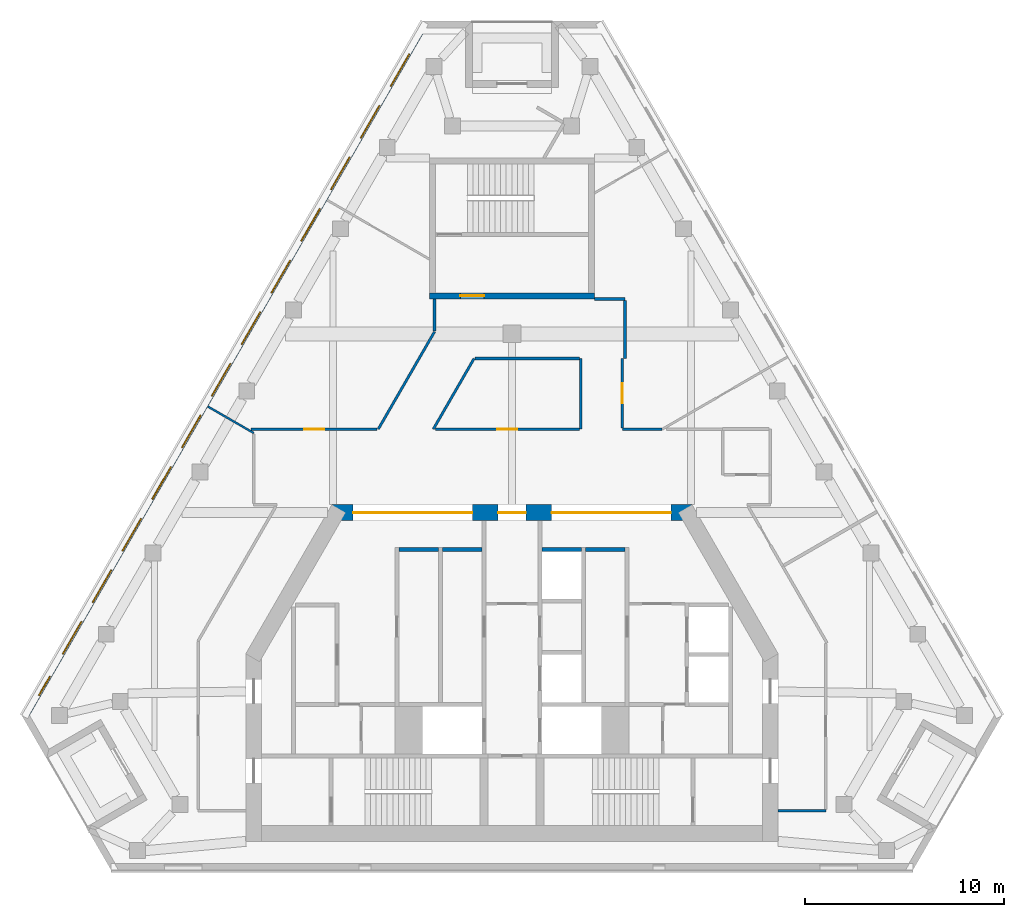
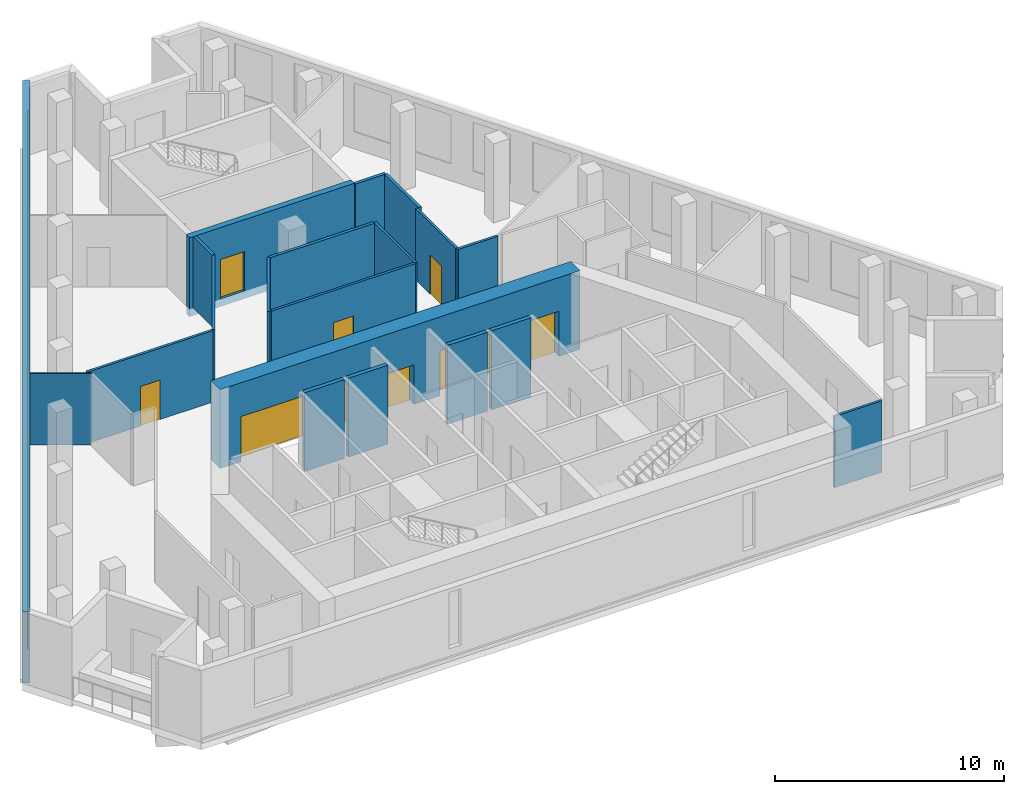
# One storey, part 4 of 8: 20 walls, 13 windows, 7 doors, 20 openings.
"""IFC4 building model written with IfcOpenShell, lengths in metres."""

from ifc_helpers import new_model, si_unit, direction, frame, frame_2d, origin, place, context, subcontext, project, spatial, rectangle, extrude, material, layer, layer_set, type_object, element, fill, save


model = new_model("IFC4")

# Units and contexts
model_context = context("Model", 3, precision=1e-05, world=origin(), true_north=direction((0.0, 1.0)))
body_context = subcontext(model_context, "Body", "Model", "MODEL_VIEW")
ifc_project = project(units=[si_unit("LENGTHUNIT", "METRE"), si_unit("AREAUNIT", "SQUARE_METRE"), si_unit("VOLUMEUNIT", "CUBIC_METRE"), si_unit("PLANEANGLEUNIT", "RADIAN"), si_unit("MASSUNIT", "GRAM", prefix="KILO")], contexts=[model_context])

# Site, building, storey
site_placement = place(None, origin())
site = spatial("IfcSite", under=ifc_project, at=site_placement, CompositionType="ELEMENT")
building_placement = place(site_placement, origin())
building = spatial("IfcBuilding", under=site, at=building_placement, Name="Fogline Exchange Tower", CompositionType="ELEMENT")
storey_placement = place(building_placement, frame((0.0, 0.0, 318.300048828125)))
storey = spatial("IfcBuildingStorey", under=building, at=storey_placement, Name="L72", CompositionType="ELEMENT", Elevation=318.300048828125)

# Walls
ifc_material_1 = material(Name="Concrete C40", Category="concrete")
ifc_layer_1 = layer(ifc_material_1, 0.199951171875)
ifc_layer_set_1 = layer_set([ifc_layer_1], Name="CW20S")
wall_type_1 = type_object("IfcWallType", Name="CW20S", PredefinedType="SOLIDWALL", material=ifc_layer_set_1)
for number, where, z_axis, x_axis, name in (
    (1, (-5.699951171875, 16.14990234375, -0.400146484375), (0.0, 0.0, 1.0), (1.0, 0.0, 0.0), "Lift shaft wall"),
    (2, (-3.5, 16.14990234375, -0.400146484375), (0.0, 0.0, 1.0), (1.0, 0.0, 0.0), "Lift shaft wall"),
    (3, (3.699951171875, 16.14990234375, -0.400146484375), (0.0, 0.0, 1.0), (1.0, 0.0, 0.0), "Lift shaft wall"),
    (4, (1.5, 16.14990234375, -0.400146484375), (0.0, 0.0, 1.0), (1.0, 0.0, 0.0), "Lift shaft wall"),
):
    element("IfcWall", number, at=place(storey_placement, frame(where, z_axis=z_axis, x_axis=x_axis)), inside=storey, type_object=wall_type_1, Name=name, PredefinedType="SOLIDWALL", context=body_context, shape_type="SweptSolid", body=[
        extrude(rectangle(XDim=2.0, YDim=0.199951171875, at=frame_2d((1.0, 0.0))), origin(), (0.0, 0.0, 1.0), 4.2001953125),
    ])

# Wall, opening, door
ifc_layer_2 = layer(ifc_material_1, 0.300048828125)
ifc_layer_set_2 = layer_set([ifc_layer_2], Name="CW30")
wall_type_2 = type_object("IfcWallType", Name="CW30", PredefinedType="SOLIDWALL", material=ifc_layer_set_2)
wall_1_placement = place(storey_placement, frame((-4.14990234375, 28.906982421875, -0.400146484375), z_axis=(0.0, 0.0, 1.0), x_axis=(1.0, 0.0, 0.0)))
wall_1 = element("IfcWall", 5, at=wall_1_placement, inside=storey, type_object=wall_type_2, Name="Stair enclosure wall ST3", PredefinedType="SOLIDWALL", context=body_context, shape_type="SweptSolid", body=[
    extrude(rectangle(XDim=8.2998046875, YDim=0.300048828125, at=frame_2d((4.14990234375, 0.0))), origin(), (0.0, 0.0, 1.0), 4.2001953125),
])
opening_1_placement = place(wall_1_placement, frame((1.550048828125, 0.0, 0.39990234375)))
opening_1 = element("IfcOpeningElement", 6, at=opening_1_placement, cuts=wall_1, Name="Opening T22-C022", PredefinedType="OPENING", context=body_context, shape_type="SweptSolid", body=[
    extrude(rectangle(XDim=1.199951171875, YDim=2.10009765625, at=frame_2d((0.60009765625, 1.050048828125))), frame((0.0, 0.16015625, 0.0), z_axis=(0.0, -1.0, 0.0), x_axis=(1.0, 0.0, 0.0)), (0.0, 0.0, 1.0), 0.320068359375),
])
ifc_material_2 = material(Name="Steel and timber fire door", Category="steel")
door_type_1 = type_object("IfcDoorType", Name="D-FR1", OperationType="SINGLE_SWING_RIGHT", PredefinedType="DOOR", material=ifc_material_2)
door_1_placement = place(opening_1_placement, origin())
door_1 = element("IfcDoor", 7, at=door_1_placement, inside=storey, type_object=door_type_1, Name="Front room door ST3", OperationType="SINGLE_SWING_LEFT", OverallHeight=2.10009765625, OverallWidth=1.199951171875, PredefinedType="DOOR", context=body_context, shape_type="SweptSolid", body=[
    extrude(rectangle(XDim=1.199951171875, YDim=2.10009765625, at=frame_2d((0.60009765625, 1.050048828125))), frame((0.0, 0.02490234375, 0.0), z_axis=(0.0, -1.0, 0.0), x_axis=(1.0, 0.0, 0.0)), (0.0, 0.0, 1.0), 0.050048828125),
])
fill(opening_1, door_1)

# Wall, openings, windows
ifc_material_3 = material(Name="Brick masonry", Category="masonry")
ifc_layer_3 = layer(ifc_material_3, 0.340087890625)
ifc_layer_set_3 = layer_set([ifc_layer_3], Name="FW1")
wall_type_3 = type_object("IfcWallType", Name="FW1", PredefinedType="SOLIDWALL", material=ifc_layer_set_3)
wall_2_placement = place(storey_placement, frame((-4.352783203125, 42.66162109375, 0.0), z_axis=(0.0, 0.0, 1.0), x_axis=(-0.499998406252, -0.866026323933, 0.0)))
wall_2 = element("IfcWall", 8, at=wall_2_placement, inside=storey, type_object=wall_type_3, Name="Brick wall L72 W", PredefinedType="SOLIDWALL", context=body_context, shape_type="SweptSolid", body=[
    extrude(rectangle(XDim=40.359619140625, YDim=0.340087890625, at=frame_2d((20.1796875, 0.0))), origin(), (0.0, 0.0, 1.0), 3.800048828125),
])
opening_2_placement = place(wall_2_placement, frame((1.769775390625, 0.0, 0.89990234375)))
opening_2 = element("IfcOpeningElement", 9, at=opening_2_placement, cuts=wall_2, Name="Opening W3", PredefinedType="OPENING", context=body_context, shape_type="SweptSolid", body=[
    extrude(rectangle(XDim=1.885009765625, YDim=2.60009765625, at=frame_2d((0.9423828125, 1.300048828125))), frame((0.0, 0.18017578125, 0.0), z_axis=(0.0, -1.0, 0.0), x_axis=(1.0, 0.0, 0.0)), (0.0, 0.0, 1.0), 0.360107421875),
])
opening_3_placement = place(wall_2_placement, frame((4.769775390625, 0.0, 0.89990234375)))
opening_3 = element("IfcOpeningElement", 10, at=opening_3_placement, cuts=wall_2, Name="Opening W3", PredefinedType="OPENING", context=body_context, shape_type="SweptSolid", body=[
    extrude(rectangle(XDim=1.885009765625, YDim=2.60009765625, at=frame_2d((0.9423828125, 1.300048828125))), frame((0.0, 0.18017578125, 0.0), z_axis=(0.0, -1.0, 0.0), x_axis=(1.0, 0.0, 0.0)), (0.0, 0.0, 1.0), 0.360107421875),
])
opening_4_placement = place(wall_2_placement, frame((7.769775390625, 0.0, 0.89990234375)))
opening_4 = element("IfcOpeningElement", 11, at=opening_4_placement, cuts=wall_2, Name="Opening W3", PredefinedType="OPENING", context=body_context, shape_type="SweptSolid", body=[
    extrude(rectangle(XDim=1.885009765625, YDim=2.60009765625, at=frame_2d((0.9423828125, 1.300048828125))), frame((0.0, 0.18017578125, 0.0), z_axis=(0.0, -1.0, 0.0), x_axis=(1.0, 0.0, 0.0)), (0.0, 0.0, 1.0), 0.360107421875),
])
opening_5_placement = place(wall_2_placement, frame((10.769775390625, 0.0, 0.89990234375)))
opening_5 = element("IfcOpeningElement", 12, at=opening_5_placement, cuts=wall_2, Name="Opening W3", PredefinedType="OPENING", context=body_context, shape_type="SweptSolid", body=[
    extrude(rectangle(XDim=1.885009765625, YDim=2.60009765625, at=frame_2d((0.9423828125, 1.300048828125))), frame((0.0, 0.18017578125, 0.0), z_axis=(0.0, -1.0, 0.0), x_axis=(1.0, 0.0, 0.0)), (0.0, 0.0, 1.0), 0.360107421875),
])
opening_6_placement = place(wall_2_placement, frame((13.769775390625, 0.0, 0.89990234375)))
opening_6 = element("IfcOpeningElement", 13, at=opening_6_placement, cuts=wall_2, Name="Opening W3", PredefinedType="OPENING", context=body_context, shape_type="SweptSolid", body=[
    extrude(rectangle(XDim=1.885009765625, YDim=2.60009765625, at=frame_2d((0.9423828125, 1.300048828125))), frame((0.0, 0.18017578125, 0.0), z_axis=(0.0, -1.0, 0.0), x_axis=(1.0, 0.0, 0.0)), (0.0, 0.0, 1.0), 0.360107421875),
])
opening_7_placement = place(wall_2_placement, frame((16.769775390625, 0.0, 0.89990234375)))
opening_7 = element("IfcOpeningElement", 14, at=opening_7_placement, cuts=wall_2, Name="Opening W3", PredefinedType="OPENING", context=body_context, shape_type="SweptSolid", body=[
    extrude(rectangle(XDim=1.885009765625, YDim=2.60009765625, at=frame_2d((0.9423828125, 1.300048828125))), frame((0.0, 0.18017578125, 0.0), z_axis=(0.0, -1.0, 0.0), x_axis=(1.0, 0.0, 0.0)), (0.0, 0.0, 1.0), 0.360107421875),
])
opening_8_placement = place(wall_2_placement, frame((19.769775390625, 0.0, 0.89990234375)))
opening_8 = element("IfcOpeningElement", 15, at=opening_8_placement, cuts=wall_2, Name="Opening W3", PredefinedType="OPENING", context=body_context, shape_type="SweptSolid", body=[
    extrude(rectangle(XDim=1.885009765625, YDim=2.60009765625, at=frame_2d((0.9423828125, 1.300048828125))), frame((0.0, 0.18017578125, 0.0), z_axis=(0.0, -1.0, 0.0), x_axis=(1.0, 0.0, 0.0)), (0.0, 0.0, 1.0), 0.360107421875),
])
opening_9_placement = place(wall_2_placement, frame((22.769775390625, 0.0, 0.89990234375)))
opening_9 = element("IfcOpeningElement", 16, at=opening_9_placement, cuts=wall_2, Name="Opening W3", PredefinedType="OPENING", context=body_context, shape_type="SweptSolid", body=[
    extrude(rectangle(XDim=1.885009765625, YDim=2.60009765625, at=frame_2d((0.9423828125, 1.300048828125))), frame((0.0, 0.18017578125, 0.0), z_axis=(0.0, -1.0, 0.0), x_axis=(1.0, 0.0, 0.0)), (0.0, 0.0, 1.0), 0.360107421875),
])
opening_10_placement = place(wall_2_placement, frame((25.769775390625, 0.0, 0.89990234375)))
opening_10 = element("IfcOpeningElement", 17, at=opening_10_placement, cuts=wall_2, Name="Opening W3", PredefinedType="OPENING", context=body_context, shape_type="SweptSolid", body=[
    extrude(rectangle(XDim=1.885009765625, YDim=2.60009765625, at=frame_2d((0.9423828125, 1.300048828125))), frame((0.0, 0.18017578125, 0.0), z_axis=(0.0, -1.0, 0.0), x_axis=(1.0, 0.0, 0.0)), (0.0, 0.0, 1.0), 0.360107421875),
])
opening_11_placement = place(wall_2_placement, frame((28.769775390625, 0.0, 0.89990234375)))
opening_11 = element("IfcOpeningElement", 18, at=opening_11_placement, cuts=wall_2, Name="Opening W3", PredefinedType="OPENING", context=body_context, shape_type="SweptSolid", body=[
    extrude(rectangle(XDim=1.885009765625, YDim=2.60009765625, at=frame_2d((0.9423828125, 1.300048828125))), frame((0.0, 0.18017578125, 0.0), z_axis=(0.0, -1.0, 0.0), x_axis=(1.0, 0.0, 0.0)), (0.0, 0.0, 1.0), 0.360107421875),
])
opening_12_placement = place(wall_2_placement, frame((31.769775390625, 0.0, 0.89990234375)))
opening_12 = element("IfcOpeningElement", 19, at=opening_12_placement, cuts=wall_2, Name="Opening W3", PredefinedType="OPENING", context=body_context, shape_type="SweptSolid", body=[
    extrude(rectangle(XDim=1.885009765625, YDim=2.60009765625, at=frame_2d((0.9423828125, 1.300048828125))), frame((0.0, 0.18017578125, 0.0), z_axis=(0.0, -1.0, 0.0), x_axis=(1.0, 0.0, 0.0)), (0.0, 0.0, 1.0), 0.360107421875),
])
opening_13_placement = place(wall_2_placement, frame((34.769775390625, 0.0, 0.89990234375)))
opening_13 = element("IfcOpeningElement", 20, at=opening_13_placement, cuts=wall_2, Name="Opening W3", PredefinedType="OPENING", context=body_context, shape_type="SweptSolid", body=[
    extrude(rectangle(XDim=1.885009765625, YDim=2.60009765625, at=frame_2d((0.9423828125, 1.300048828125))), frame((0.0, 0.18017578125, 0.0), z_axis=(0.0, -1.0, 0.0), x_axis=(1.0, 0.0, 0.0)), (0.0, 0.0, 1.0), 0.360107421875),
])
opening_14_placement = place(wall_2_placement, frame((37.94970703125, 0.0, 0.89990234375)))
opening_14 = element("IfcOpeningElement", 21, at=opening_14_placement, cuts=wall_2, Name="Opening W4", PredefinedType="OPENING", context=body_context, shape_type="SweptSolid", body=[
    extrude(rectangle(XDim=1.114990234375, YDim=2.39990234375, at=frame_2d((0.5576171875, 1.199951171875))), frame((0.0, 0.18017578125, 0.0), z_axis=(0.0, -1.0, 0.0), x_axis=(1.0, 0.0, 0.0)), (0.0, 0.0, 1.0), 0.360107421875),
])
ifc_material_4 = material(Name="Aluminium and glass", Category="aluminium")
window_type_1 = type_object("IfcWindowType", Name="W3", PartitioningType="SINGLE_PANEL", PredefinedType="WINDOW", material=ifc_material_4)
window_1_placement = place(opening_2_placement, origin())
window_1 = element("IfcWindow", 22, at=window_1_placement, inside=storey, type_object=window_type_1, Name="W3 W3", OverallHeight=2.60009765625, OverallWidth=1.885009765625, PartitioningType="SINGLE_PANEL", PredefinedType="WINDOW", context=body_context, shape_type="SweptSolid", body=[
    extrude(rectangle(XDim=1.885009765625, YDim=2.60009765625, at=frame_2d((0.9423828125, 1.300048828125))), frame((0.0, 0.110107421875, 0.0), z_axis=(0.0, -1.0, 0.0), x_axis=(1.0, 0.0, 0.0)), (0.0, 0.0, 1.0), 0.06005859375),
])
fill(opening_2, window_1)
window_2_placement = place(opening_3_placement, origin())
window_2 = element("IfcWindow", 23, at=window_2_placement, inside=storey, type_object=window_type_1, Name="W3 W3", OverallHeight=2.60009765625, OverallWidth=1.885009765625, PartitioningType="SINGLE_PANEL", PredefinedType="WINDOW", context=body_context, shape_type="SweptSolid", body=[
    extrude(rectangle(XDim=1.885009765625, YDim=2.60009765625, at=frame_2d((0.9423828125, 1.300048828125))), frame((0.0, 0.110107421875, 0.0), z_axis=(0.0, -1.0, 0.0), x_axis=(1.0, 0.0, 0.0)), (0.0, 0.0, 1.0), 0.06005859375),
])
fill(opening_3, window_2)
window_3_placement = place(opening_4_placement, origin())
window_3 = element("IfcWindow", 24, at=window_3_placement, inside=storey, type_object=window_type_1, Name="W3 W3", OverallHeight=2.60009765625, OverallWidth=1.885009765625, PartitioningType="SINGLE_PANEL", PredefinedType="WINDOW", context=body_context, shape_type="SweptSolid", body=[
    extrude(rectangle(XDim=1.885009765625, YDim=2.60009765625, at=frame_2d((0.9423828125, 1.300048828125))), frame((0.0, 0.110107421875, 0.0), z_axis=(0.0, -1.0, 0.0), x_axis=(1.0, 0.0, 0.0)), (0.0, 0.0, 1.0), 0.06005859375),
])
fill(opening_4, window_3)
window_4_placement = place(opening_5_placement, origin())
window_4 = element("IfcWindow", 25, at=window_4_placement, inside=storey, type_object=window_type_1, Name="W3 W3", OverallHeight=2.60009765625, OverallWidth=1.885009765625, PartitioningType="SINGLE_PANEL", PredefinedType="WINDOW", context=body_context, shape_type="SweptSolid", body=[
    extrude(rectangle(XDim=1.885009765625, YDim=2.60009765625, at=frame_2d((0.9423828125, 1.300048828125))), frame((0.0, 0.110107421875, 0.0), z_axis=(0.0, -1.0, 0.0), x_axis=(1.0, 0.0, 0.0)), (0.0, 0.0, 1.0), 0.06005859375),
])
fill(opening_5, window_4)
window_5_placement = place(opening_6_placement, origin())
window_5 = element("IfcWindow", 26, at=window_5_placement, inside=storey, type_object=window_type_1, Name="W3 W3", OverallHeight=2.60009765625, OverallWidth=1.885009765625, PartitioningType="SINGLE_PANEL", PredefinedType="WINDOW", context=body_context, shape_type="SweptSolid", body=[
    extrude(rectangle(XDim=1.885009765625, YDim=2.60009765625, at=frame_2d((0.9423828125, 1.300048828125))), frame((0.0, 0.110107421875, 0.0), z_axis=(0.0, -1.0, 0.0), x_axis=(1.0, 0.0, 0.0)), (0.0, 0.0, 1.0), 0.06005859375),
])
fill(opening_6, window_5)
window_6_placement = place(opening_7_placement, origin())
window_6 = element("IfcWindow", 27, at=window_6_placement, inside=storey, type_object=window_type_1, Name="W3 W3", OverallHeight=2.60009765625, OverallWidth=1.885009765625, PartitioningType="SINGLE_PANEL", PredefinedType="WINDOW", context=body_context, shape_type="SweptSolid", body=[
    extrude(rectangle(XDim=1.885009765625, YDim=2.60009765625, at=frame_2d((0.9423828125, 1.300048828125))), frame((0.0, 0.110107421875, 0.0), z_axis=(0.0, -1.0, 0.0), x_axis=(1.0, 0.0, 0.0)), (0.0, 0.0, 1.0), 0.06005859375),
])
fill(opening_7, window_6)
window_7_placement = place(opening_8_placement, origin())
window_7 = element("IfcWindow", 28, at=window_7_placement, inside=storey, type_object=window_type_1, Name="W3 W3", OverallHeight=2.60009765625, OverallWidth=1.885009765625, PartitioningType="SINGLE_PANEL", PredefinedType="WINDOW", context=body_context, shape_type="SweptSolid", body=[
    extrude(rectangle(XDim=1.885009765625, YDim=2.60009765625, at=frame_2d((0.9423828125, 1.300048828125))), frame((0.0, 0.110107421875, 0.0), z_axis=(0.0, -1.0, 0.0), x_axis=(1.0, 0.0, 0.0)), (0.0, 0.0, 1.0), 0.06005859375),
])
fill(opening_8, window_7)
window_8_placement = place(opening_9_placement, origin())
window_8 = element("IfcWindow", 29, at=window_8_placement, inside=storey, type_object=window_type_1, Name="W3 W3", OverallHeight=2.60009765625, OverallWidth=1.885009765625, PartitioningType="SINGLE_PANEL", PredefinedType="WINDOW", context=body_context, shape_type="SweptSolid", body=[
    extrude(rectangle(XDim=1.885009765625, YDim=2.60009765625, at=frame_2d((0.9423828125, 1.300048828125))), frame((0.0, 0.110107421875, 0.0), z_axis=(0.0, -1.0, 0.0), x_axis=(1.0, 0.0, 0.0)), (0.0, 0.0, 1.0), 0.06005859375),
])
fill(opening_9, window_8)
window_9_placement = place(opening_10_placement, origin())
window_9 = element("IfcWindow", 30, at=window_9_placement, inside=storey, type_object=window_type_1, Name="W3 W3", OverallHeight=2.60009765625, OverallWidth=1.885009765625, PartitioningType="SINGLE_PANEL", PredefinedType="WINDOW", context=body_context, shape_type="SweptSolid", body=[
    extrude(rectangle(XDim=1.885009765625, YDim=2.60009765625, at=frame_2d((0.9423828125, 1.300048828125))), frame((0.0, 0.110107421875, 0.0), z_axis=(0.0, -1.0, 0.0), x_axis=(1.0, 0.0, 0.0)), (0.0, 0.0, 1.0), 0.06005859375),
])
fill(opening_10, window_9)
window_10_placement = place(opening_11_placement, origin())
window_10 = element("IfcWindow", 31, at=window_10_placement, inside=storey, type_object=window_type_1, Name="W3 W3", OverallHeight=2.60009765625, OverallWidth=1.885009765625, PartitioningType="SINGLE_PANEL", PredefinedType="WINDOW", context=body_context, shape_type="SweptSolid", body=[
    extrude(rectangle(XDim=1.885009765625, YDim=2.60009765625, at=frame_2d((0.9423828125, 1.300048828125))), frame((0.0, 0.110107421875, 0.0), z_axis=(0.0, -1.0, 0.0), x_axis=(1.0, 0.0, 0.0)), (0.0, 0.0, 1.0), 0.06005859375),
])
fill(opening_11, window_10)
window_11_placement = place(opening_12_placement, origin())
window_11 = element("IfcWindow", 32, at=window_11_placement, inside=storey, type_object=window_type_1, Name="W3 W3", OverallHeight=2.60009765625, OverallWidth=1.885009765625, PartitioningType="SINGLE_PANEL", PredefinedType="WINDOW", context=body_context, shape_type="SweptSolid", body=[
    extrude(rectangle(XDim=1.885009765625, YDim=2.60009765625, at=frame_2d((0.9423828125, 1.300048828125))), frame((0.0, 0.110107421875, 0.0), z_axis=(0.0, -1.0, 0.0), x_axis=(1.0, 0.0, 0.0)), (0.0, 0.0, 1.0), 0.06005859375),
])
fill(opening_12, window_11)
window_12_placement = place(opening_13_placement, origin())
window_12 = element("IfcWindow", 33, at=window_12_placement, inside=storey, type_object=window_type_1, Name="W3 W3", OverallHeight=2.60009765625, OverallWidth=1.885009765625, PartitioningType="SINGLE_PANEL", PredefinedType="WINDOW", context=body_context, shape_type="SweptSolid", body=[
    extrude(rectangle(XDim=1.885009765625, YDim=2.60009765625, at=frame_2d((0.9423828125, 1.300048828125))), frame((0.0, 0.110107421875, 0.0), z_axis=(0.0, -1.0, 0.0), x_axis=(1.0, 0.0, 0.0)), (0.0, 0.0, 1.0), 0.06005859375),
])
fill(opening_13, window_12)
window_type_2 = type_object("IfcWindowType", Name="W4", PartitioningType="SINGLE_PANEL", PredefinedType="WINDOW", material=ifc_material_4)
window_13_placement = place(opening_14_placement, origin())
window_13 = element("IfcWindow", 34, at=window_13_placement, inside=storey, type_object=window_type_2, Name="W4 W4", OverallHeight=2.39990234375, OverallWidth=1.114990234375, PartitioningType="SINGLE_PANEL", PredefinedType="WINDOW", context=body_context, shape_type="SweptSolid", body=[
    extrude(rectangle(XDim=1.114990234375, YDim=2.39990234375, at=frame_2d((0.5576171875, 1.199951171875))), frame((0.0, 0.110107421875, 0.0), z_axis=(0.0, -1.0, 0.0), x_axis=(1.0, 0.0, 0.0)), (0.0, 0.0, 1.0), 0.06005859375),
])
fill(opening_14, window_13)

# Walls
ifc_material_5 = material(Name="Plasterboard partition, 2 layers each side on steel studs", Category="steel")
ifc_layer_4 = layer(ifc_material_5, 0.10009765625)
ifc_layer_set_4 = layer_set([ifc_layer_4], Name="PW1")
wall_type_4 = type_object("IfcWallType", Name="PW1", PredefinedType="PARTITIONING", material=ifc_layer_set_4)
wall_3_placement = place(storey_placement, frame((-13.0, 22.005615234375, 0.0), z_axis=(0.0, 0.0, 1.0), x_axis=(-0.865999751816, 0.500044427881, 0.0)))
element("IfcWall", 35, at=wall_3_placement, inside=storey, type_object=wall_type_4, Name="wall-L72-W034", PredefinedType="PARTITIONING", context=body_context, shape_type="SweptSolid", body=[
    extrude(rectangle(XDim=2.669189453125, YDim=0.10009765625, at=frame_2d((1.33447265625, 0.0))), origin(), (0.0, 0.0, 1.0), 3.800048828125),
])
ifc_material_6 = material(Name="Plasterboard corridor partition with mineral wool, 2 layers each side")
ifc_layer_5 = layer(ifc_material_6, 0.125)
ifc_layer_set_5 = layer_set([ifc_layer_5], Name="PW2")
wall_type_5 = type_object("IfcWallType", Name="PW2", PredefinedType="PARTITIONING", material=ifc_layer_set_5)
wall_4_placement = place(storey_placement, frame((15.800048828125, 3.0, 0.0), z_axis=(0.0, 0.0, 1.0), x_axis=(-1.0, 0.0, 0.0)))
element("IfcWall", 36, at=wall_4_placement, inside=storey, type_object=wall_type_5, Name="wall-L72-W004", PredefinedType="PARTITIONING", context=body_context, shape_type="SweptSolid", body=[
    extrude(rectangle(XDim=2.400146484375, YDim=0.125, at=frame_2d((1.2001953125, 0.0))), origin(), (0.0, 0.0, 1.0), 3.800048828125),
])
wall_5_placement = place(storey_placement, frame((5.550048828125, 22.199951171875, 0.0), z_axis=(0.0, 0.0, 1.0), x_axis=(1.0, 0.0, 0.0)))
element("IfcWall", 37, at=wall_5_placement, inside=storey, type_object=wall_type_5, Name="wall-L72-W010", PredefinedType="PARTITIONING", context=body_context, shape_type="SweptSolid", body=[
    extrude(rectangle(XDim=1.990966796875, YDim=0.125, at=frame_2d((0.99560546875, 0.0))), origin(), (0.0, 0.0, 1.0), 3.800048828125),
])

# Wall, opening, door
wall_6_placement = place(storey_placement, frame((-3.852294921875, 22.199951171875, 0.0), z_axis=(0.0, 0.0, 1.0), x_axis=(1.0, 0.0, 0.0)))
wall_6 = element("IfcWall", 38, at=wall_6_placement, inside=storey, type_object=wall_type_5, Name="wall-L72-W011", PredefinedType="PARTITIONING", context=body_context, shape_type="SweptSolid", body=[
    extrude(rectangle(XDim=7.23974609375, YDim=0.125, at=frame_2d((3.619873046875, 0.0))), origin(), (0.0, 0.0, 1.0), 3.800048828125),
])
opening_15_placement = place(wall_6_placement, frame((3.119873046875, 0.0, 0.0)))
opening_15 = element("IfcOpeningElement", 39, at=opening_15_placement, cuts=wall_6, Name="Opening T22-D004", PredefinedType="OPENING", context=body_context, shape_type="SweptSolid", body=[
    extrude(rectangle(XDim=1.0, YDim=2.10009765625, at=frame_2d((0.5, 1.050048828125))), frame((0.0, 0.072509765625, 0.0), z_axis=(0.0, -1.0, 0.0), x_axis=(1.0, 0.0, 0.0)), (0.0, 0.0, 1.0), 0.14501953125),
])
ifc_material_7 = material(Name="Fire-rated timber door leaf with steel frame", Category="steel")
door_type_2 = type_object("IfcDoorType", Name="D3", OperationType="SINGLE_SWING_LEFT", PredefinedType="DOOR", material=ifc_material_7)
door_2_placement = place(opening_15_placement, origin())
door_2 = element("IfcDoor", 40, at=door_2_placement, inside=storey, type_object=door_type_2, Name="door-L72-D004", OperationType="SINGLE_SWING_LEFT", OverallHeight=2.10009765625, OverallWidth=1.0, PredefinedType="DOOR", context=body_context, shape_type="SweptSolid", body=[
    extrude(rectangle(XDim=1.0, YDim=2.10009765625, at=frame_2d((0.5, 1.050048828125))), frame((0.0, 0.02490234375, 0.0), z_axis=(0.0, -1.0, 0.0), x_axis=(1.0, 0.0, 0.0)), (0.0, 0.0, 1.0), 0.050048828125),
])
fill(opening_15, door_2)

wall_7_placement = place(storey_placement, frame((-13.12890625, 22.199951171875, 0.0), z_axis=(0.0, 0.0, 1.0), x_axis=(1.0, 0.0, 0.0)))
wall_7 = element("IfcWall", 41, at=wall_7_placement, inside=storey, type_object=wall_type_5, Name="wall-L72-W012", PredefinedType="PARTITIONING", context=body_context, shape_type="SweptSolid", body=[
    extrude(rectangle(XDim=6.34228515625, YDim=0.125, at=frame_2d((3.171142578125, 0.0))), origin(), (0.0, 0.0, 1.0), 3.800048828125),
])
opening_16_placement = place(wall_7_placement, frame((2.671142578125, 0.0, 0.0)))
opening_16 = element("IfcOpeningElement", 42, at=opening_16_placement, cuts=wall_7, Name="Opening T22-D005", PredefinedType="OPENING", context=body_context, shape_type="SweptSolid", body=[
    extrude(rectangle(XDim=1.0, YDim=2.10009765625, at=frame_2d((0.5, 1.050048828125))), frame((0.0, 0.072509765625, 0.0), z_axis=(0.0, -1.0, 0.0), x_axis=(1.0, 0.0, 0.0)), (0.0, 0.0, 1.0), 0.14501953125),
])
door_3_placement = place(opening_16_placement, origin())
door_3 = element("IfcDoor", 43, at=door_3_placement, inside=storey, type_object=door_type_2, Name="door-L72-D005", OperationType="SINGLE_SWING_LEFT", OverallHeight=2.10009765625, OverallWidth=1.0, PredefinedType="DOOR", context=body_context, shape_type="SweptSolid", body=[
    extrude(rectangle(XDim=1.0, YDim=2.10009765625, at=frame_2d((0.5, 1.050048828125))), frame((0.0, 0.02490234375, 0.0), z_axis=(0.0, -1.0, 0.0), x_axis=(1.0, 0.0, 0.0)), (0.0, 0.0, 1.0), 0.050048828125),
])
fill(opening_16, door_3)

wall_8_placement = place(storey_placement, frame((5.550048828125, 25.757080078125, 0.0), z_axis=(0.0, 0.0, 1.0), x_axis=(0.0, -1.0, 0.0)))
wall_8 = element("IfcWall", 44, at=wall_8_placement, inside=storey, type_object=wall_type_5, Name="wall-L72-W022", PredefinedType="PARTITIONING", context=body_context, shape_type="SweptSolid", body=[
    extrude(rectangle(XDim=3.49462890625, YDim=0.125, at=frame_2d((1.747314453125, 0.0))), origin(), (0.0, 0.0, 1.0), 3.800048828125),
])
opening_17_placement = place(wall_8_placement, frame((1.247314453125, 0.0, 0.0)))
opening_17 = element("IfcOpeningElement", 45, at=opening_17_placement, cuts=wall_8, Name="Opening T22-D007", PredefinedType="OPENING", context=body_context, shape_type="SweptSolid", body=[
    extrude(rectangle(XDim=1.0, YDim=2.10009765625, at=frame_2d((0.5, 1.050048828125))), frame((0.0, 0.072509765625, 0.0), z_axis=(0.0, -1.0, 0.0), x_axis=(1.0, 0.0, 0.0)), (0.0, 0.0, 1.0), 0.14501953125),
])
door_4_placement = place(opening_17_placement, origin())
door_4 = element("IfcDoor", 46, at=door_4_placement, inside=storey, type_object=door_type_2, Name="door-L72-D007", OperationType="SINGLE_SWING_LEFT", OverallHeight=2.10009765625, OverallWidth=1.0, PredefinedType="DOOR", context=body_context, shape_type="SweptSolid", body=[
    extrude(rectangle(XDim=1.0, YDim=2.10009765625, at=frame_2d((0.5, 1.050048828125))), frame((0.0, 0.02490234375, 0.0), z_axis=(0.0, -1.0, 0.0), x_axis=(1.0, 0.0, 0.0)), (0.0, 0.0, 1.0), 0.050048828125),
])
fill(opening_17, door_4)

# Walls
wall_9_placement = place(storey_placement, frame((3.449951171875, 22.199951171875, 0.0), z_axis=(0.0, 0.0, 1.0), x_axis=(0.0, 1.0, 0.0)))
element("IfcWall", 47, at=wall_9_placement, inside=storey, type_object=wall_type_5, Name="wall-L72-W023", PredefinedType="PARTITIONING", context=body_context, shape_type="SweptSolid", body=[
    extrude(rectangle(XDim=3.55712890625, YDim=0.125, at=frame_2d((1.778564453125, 0.0))), origin(), (0.0, 0.0, 1.0), 3.800048828125),
])
wall_10_placement = place(storey_placement, frame((-1.907470703125, 25.757080078125, 0.0), z_axis=(0.0, 0.0, 1.0), x_axis=(-0.500000293238, -0.866025234483, 0.0)))
element("IfcWall", 48, at=wall_10_placement, inside=storey, type_object=wall_type_5, Name="wall-L72-W024", PredefinedType="PARTITIONING", context=body_context, shape_type="SweptSolid", body=[
    extrude(rectangle(XDim=4.107421875, YDim=0.125, at=frame_2d((2.0537109375, 0.0))), origin(), (0.0, 0.0, 1.0), 3.800048828125),
])
wall_11_placement = place(storey_placement, frame((-6.732421875, 22.199951171875, 0.0), z_axis=(0.0, 0.0, 1.0), x_axis=(0.500004730061, 0.866022672865, 0.0)))
element("IfcWall", 49, at=wall_11_placement, inside=storey, type_object=wall_type_5, Name="wall-L72-W025", PredefinedType="PARTITIONING", context=body_context, shape_type="SweptSolid", body=[
    extrude(rectangle(XDim=5.6650390625, YDim=0.125, at=frame_2d((2.83251953125, 0.0))), origin(), (0.0, 0.0, 1.0), 3.800048828125),
])
ifc_material_8 = material(Name="Plasterboard stair lobby partition, 3 layers each side on steel studs", Category="steel")
ifc_layer_6 = layer(ifc_material_8, 0.14990234375)
ifc_layer_set_6 = layer_set([ifc_layer_6], Name="PW4")
wall_type_6 = type_object("IfcWallType", Name="PW4", PredefinedType="PARTITIONING", material=ifc_layer_set_6)
wall_12_placement = place(storey_placement, frame((4.14990234375, 28.757080078125, 0.0), z_axis=(0.0, 0.0, 1.0), x_axis=(1.0, 0.0, 0.0)))
element("IfcWall", 50, at=wall_12_placement, inside=storey, type_object=wall_type_6, Name="wall-L72-W018", PredefinedType="PARTITIONING", context=body_context, shape_type="SweptSolid", body=[
    extrude(rectangle(XDim=1.550048828125, YDim=0.14990234375, at=frame_2d((0.77490234375, 0.0))), origin(), (0.0, 0.0, 1.0), 3.800048828125),
])
wall_13_placement = place(storey_placement, frame((5.699951171875, 28.681884765625, 0.0), z_axis=(0.0, 0.0, 1.0), x_axis=(0.0, -1.0, 0.0)))
element("IfcWall", 51, at=wall_13_placement, inside=storey, type_object=wall_type_6, Name="wall-L72-W019", PredefinedType="PARTITIONING", context=body_context, shape_type="SweptSolid", body=[
    extrude(rectangle(XDim=2.9248046875, YDim=0.14990234375, at=frame_2d((1.46240234375, 0.0))), origin(), (0.0, 0.0, 1.0), 3.800048828125),
])
wall_14_placement = place(storey_placement, frame((3.387451171875, 25.757080078125, 0.0), z_axis=(0.0, 0.0, 1.0), x_axis=(-1.0, 0.0, 0.0)))
element("IfcWall", 52, at=wall_14_placement, inside=storey, type_object=wall_type_6, Name="wall-L72-W020", PredefinedType="PARTITIONING", context=body_context, shape_type="SweptSolid", body=[
    extrude(rectangle(XDim=5.2412109375, YDim=0.14990234375, at=frame_2d((2.62060546875, 0.0))), origin(), (0.0, 0.0, 1.0), 3.800048828125),
])
wall_15_placement = place(storey_placement, frame((-3.89990234375, 27.136962890625, 0.0), z_axis=(0.0, 0.0, 1.0), x_axis=(0.0, 1.0, 0.0)))
element("IfcWall", 53, at=wall_15_placement, inside=storey, type_object=wall_type_6, Name="wall-L72-W021", PredefinedType="PARTITIONING", context=body_context, shape_type="SweptSolid", body=[
    extrude(rectangle(XDim=1.6201171875, YDim=0.14990234375, at=frame_2d((0.81005859375, 0.0))), origin(), (0.0, 0.0, 1.0), 3.800048828125),
])

# Wall, openings, doors
ifc_material_9 = material(Name="Concrete C50", Category="concrete")
ifc_layer_7 = layer(ifc_material_9, 0.800048828125)
ifc_layer_set_7 = layer_set([ifc_layer_7], Name="SW04")
wall_type_7 = type_object("IfcWallType", Name="SW04", PredefinedType="SHEAR", material=ifc_layer_set_7)
wall_16_placement = place(storey_placement, frame((9.065185546875, 18.0, 0.0), z_axis=(0.0, 0.0, 1.0), x_axis=(-1.0, 0.0, 0.0)))
wall_16 = element("IfcWall", 54, at=wall_16_placement, inside=storey, type_object=wall_type_7, Name="L72-W904", PredefinedType="SHEAR", context=body_context, shape_type="SweptSolid", body=[
    extrude(rectangle(XDim=18.13037109375, YDim=0.800048828125, at=frame_2d((9.065185546875, 0.0))), origin(), (0.0, 0.0, 1.0), 4.199951171875),
])
opening_18_placement = place(wall_16_placement, frame((8.364990234375, 0.0, 0.0)))
opening_18 = element("IfcOpeningElement", 55, at=opening_18_placement, cuts=wall_16, Name="Opening T22-C019", PredefinedType="OPENING", context=body_context, shape_type="SweptSolid", body=[
    extrude(rectangle(XDim=1.39990234375, YDim=2.10009765625, at=frame_2d((0.699951171875, 1.050048828125))), frame((0.0, 0.41015625, 0.0), z_axis=(0.0, -1.0, 0.0), x_axis=(1.0, 0.0, 0.0)), (0.0, 0.0, 1.0), 0.820068359375),
])
opening_19_placement = place(wall_16_placement, frame((11.065185546875, 0.0, 0.0)))
opening_19 = element("IfcOpeningElement", 56, at=opening_19_placement, cuts=wall_16, Name="Opening T22-C020", PredefinedType="OPENING", context=body_context, shape_type="SweptSolid", body=[
    extrude(rectangle(XDim=6.0, YDim=2.39990234375, at=frame_2d((3.0, 1.199951171875))), frame((0.0, 0.41015625, 0.0), z_axis=(0.0, -1.0, 0.0), x_axis=(1.0, 0.0, 0.0)), (0.0, 0.0, 1.0), 0.820068359375),
])
opening_20_placement = place(wall_16_placement, frame((1.065185546875, 0.0, 0.0)))
opening_20 = element("IfcOpeningElement", 57, at=opening_20_placement, cuts=wall_16, Name="Opening T22-C021", PredefinedType="OPENING", context=body_context, shape_type="SweptSolid", body=[
    extrude(rectangle(XDim=6.0, YDim=2.39990234375, at=frame_2d((3.0, 1.199951171875))), frame((0.0, 0.41015625, 0.0), z_axis=(0.0, -1.0, 0.0), x_axis=(1.0, 0.0, 0.0)), (0.0, 0.0, 1.0), 0.820068359375),
])
door_type_3 = type_object("IfcDoorType", Name="D-LB1", OperationType="DOUBLE_DOOR_SINGLE_SWING", PredefinedType="DOOR", material=ifc_material_2)
door_5_placement = place(opening_18_placement, origin())
door_5 = element("IfcDoor", 58, at=door_5_placement, inside=storey, type_object=door_type_3, Name="Protected lobby door", OperationType="DOUBLE_DOOR_SINGLE_SWING", OverallHeight=2.10009765625, OverallWidth=1.39990234375, PredefinedType="DOOR", context=body_context, shape_type="SweptSolid", body=[
    extrude(rectangle(XDim=1.39990234375, YDim=2.10009765625, at=frame_2d((0.699951171875, 1.050048828125))), frame((0.0, 0.02490234375, 0.0), z_axis=(0.0, -1.0, 0.0), x_axis=(1.0, 0.0, 0.0)), (0.0, 0.0, 1.0), 0.050048828125),
])
fill(opening_18, door_5)
door_type_4 = type_object("IfcDoorType", Name="D-LE1", OperationType="DOUBLE_DOOR_SLIDING", PredefinedType="DOOR", material=ifc_material_2)
door_6_placement = place(opening_19_placement, origin())
door_6 = element("IfcDoor", 59, at=door_6_placement, inside=storey, type_object=door_type_4, Name="Lift lobby entrance west", OperationType="DOUBLE_DOOR_SLIDING", OverallHeight=2.39990234375, OverallWidth=6.0, PredefinedType="DOOR", context=body_context, shape_type="SweptSolid", body=[
    extrude(rectangle(XDim=6.0, YDim=2.39990234375, at=frame_2d((3.0, 1.199951171875))), frame((0.0, 0.02490234375, 0.0), z_axis=(0.0, -1.0, 0.0), x_axis=(1.0, 0.0, 0.0)), (0.0, 0.0, 1.0), 0.050048828125),
])
fill(opening_19, door_6)
door_7_placement = place(opening_20_placement, origin())
door_7 = element("IfcDoor", 60, at=door_7_placement, inside=storey, type_object=door_type_4, Name="Lift lobby entrance east", OperationType="DOUBLE_DOOR_SLIDING", OverallHeight=2.39990234375, OverallWidth=6.0, PredefinedType="DOOR", context=body_context, shape_type="SweptSolid", body=[
    extrude(rectangle(XDim=6.0, YDim=2.39990234375, at=frame_2d((3.0, 1.199951171875))), frame((0.0, 0.02490234375, 0.0), z_axis=(0.0, -1.0, 0.0), x_axis=(1.0, 0.0, 0.0)), (0.0, 0.0, 1.0), 0.050048828125),
])
fill(opening_20, door_7)

save(model, "model.ifc")
